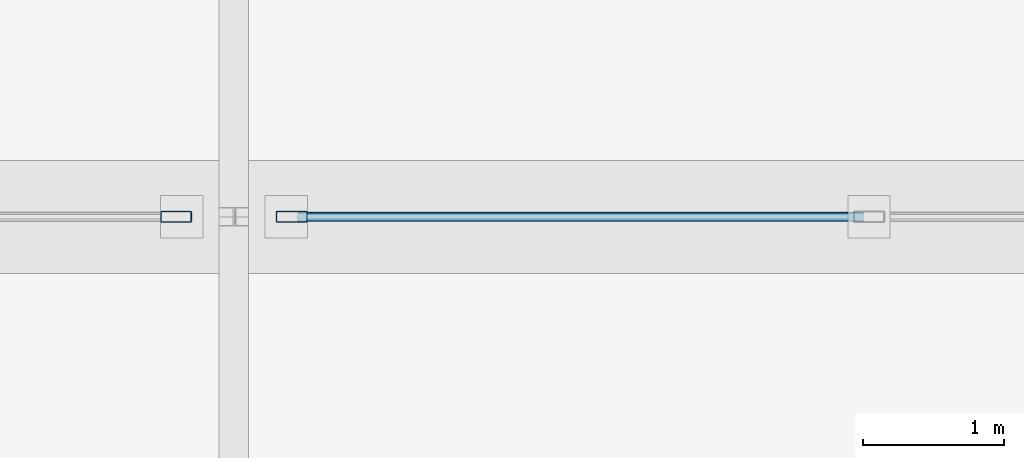
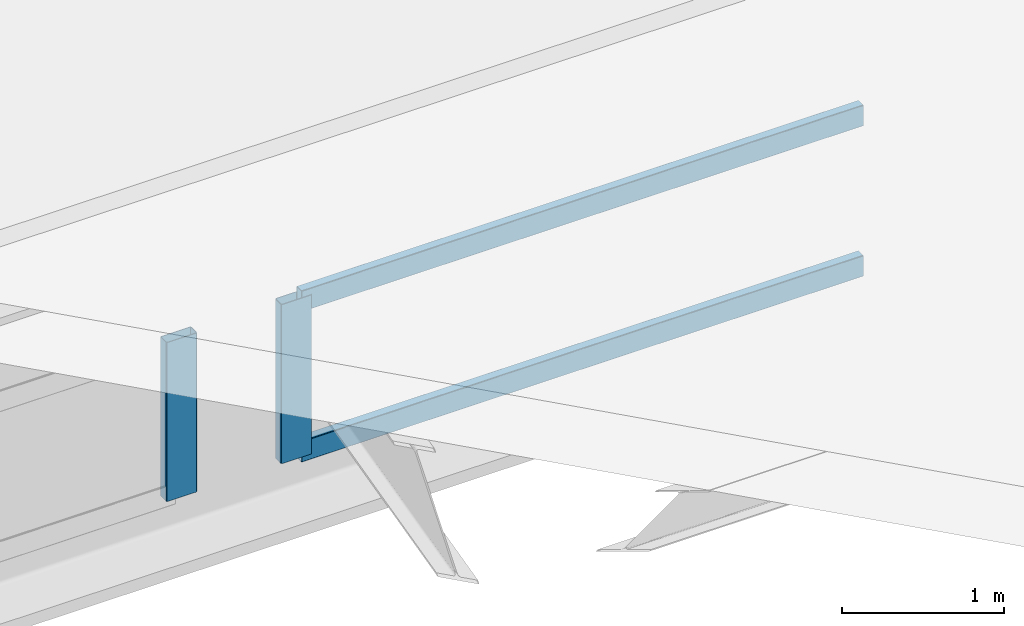
# One storey, part 10 of 36: 4 members, 2 elements without a shape of their own.
"""IFC4 building model written with IfcOpenShell, lengths in metres."""

from ifc_helpers import new_model, si_unit, direction, frame, origin, origin_2d, place, context, subcontext, project, spatial, hollow_rectangle, extrude, material, layer, layer_set, material_profile, profile_set, type_object, element, aggregate, save


model = new_model("IFC4")

# Units and contexts
model_context = context("Model", 3, precision=1e-05, world=origin(), true_north=direction((0.0, 1.0)))
body_context = subcontext(model_context, "Body", "Model", "MODEL_VIEW")
ifc_project = project(units=[si_unit("LENGTHUNIT", "METRE"), si_unit("AREAUNIT", "SQUARE_METRE"), si_unit("VOLUMEUNIT", "CUBIC_METRE"), si_unit("PLANEANGLEUNIT", "RADIAN"), si_unit("MASSUNIT", "GRAM", prefix="KILO")], contexts=[model_context])

# Site, building, storey
site_placement = place(None, origin())
site = spatial("IfcSite", under=ifc_project, at=site_placement, CompositionType="ELEMENT")
building_placement = place(site_placement, origin())
building = spatial("IfcBuilding", under=site, at=building_placement, Name="Qorvath Tower", CompositionType="ELEMENT")
storey_placement = place(building_placement, frame((0.0, 0.0, 27.0)))
storey = spatial("IfcBuildingStorey", under=building, at=storey_placement, Name="L05", CompositionType="ELEMENT", Elevation=27.0)

# Curtain wall, member
ifc_material_1 = material(Name="Anodised aluminium and triple low-E glass", Category="aluminium")
ifc_layer = layer(ifc_material_1, 0.179931640625)
ifc_layer_set = layer_set([ifc_layer], Name="CW-SYS-7")
curtain_wall_type = type_object("IfcCurtainWallType", Name="CW-SYS-7", PredefinedType="NOTDEFINED", material=ifc_layer_set)
curtain_wall_1_placement = place(storey_placement, origin())
curtain_wall_1 = element("IfcCurtainWall", 1, at=curtain_wall_1_placement, inside=storey, type_object=curtain_wall_type, Name="Curtain Wall CW-7 CW-LIB-SKY-3-2", PredefinedType="NOTDEFINED")
ifc_material_2 = material(Name="Anodised aluminium 6063-T6", Category="aluminium")
ifc_material_profile_1 = material_profile(ifc_material_2, hollow_rectangle(XDim=0.080078125, YDim=0.219970703125, WallThickness=0.00439453125, InnerFilletRadius=0.00439453125, OuterFilletRadius=0.009033203125, at=origin_2d()), Name="CWM LIB 220x80")
ifc_profile_set_1 = profile_set([ifc_material_profile_1], Name="Anodised aluminium 6063-T6")
member_type_1 = type_object("IfcMemberType", Name="CWM-LIB", PredefinedType="MULLION", material=ifc_profile_set_1)
member_1_placement = place(storey_placement, frame((49.989990234375, 9.60009765625, 0.0), z_axis=(0.0, 0.0, 1.0), x_axis=(0.0, 1.0, 0.0)))
member_1 = element("IfcMember", 2, at=member_1_placement, type_object=member_type_1, Name="CW-7 mullion 3", PredefinedType="MULLION", context=body_context, shape_type="SweptSolid", body=[
    extrude(hollow_rectangle(XDim=0.080078125, YDim=0.219970703125, WallThickness=0.00439453125, InnerFilletRadius=0.00439453125, OuterFilletRadius=0.009033203125, at=origin_2d()), origin(), (0.0, 0.0, 1.0), 1.199951171875),
])
aggregate(curtain_wall_1, [member_1])

# Curtain wall, members
curtain_wall_2_placement = place(storey_placement, origin())
curtain_wall_2 = element("IfcCurtainWall", 3, at=curtain_wall_2_placement, inside=storey, type_object=curtain_wall_type, Name="Curtain Wall CW-7 CW-LIB-SKY-3-3", PredefinedType="NOTDEFINED")
member_2_placement = place(storey_placement, frame((50.81005859375, 9.60009765625, 0.0), z_axis=(0.0, 0.0, 1.0), x_axis=(0.0, 1.0, 0.0)))
member_2 = element("IfcMember", 4, at=member_2_placement, type_object=member_type_1, Name="CW-7 mullion 1", PredefinedType="MULLION", context=body_context, shape_type="SweptSolid", body=[
    extrude(hollow_rectangle(XDim=0.080078125, YDim=0.219970703125, WallThickness=0.00439453125, InnerFilletRadius=0.00439453125, OuterFilletRadius=0.009033203125, at=origin_2d()), origin(), (0.0, 0.0, 1.0), 1.199951171875),
])
ifc_material_3 = material(Name="Anodised aluminium 6063-T6", Category="aluminium")
ifc_material_profile_2 = material_profile(ifc_material_3, hollow_rectangle(XDim=0.06494140625, YDim=0.159912109375, WallThickness=0.00341796875, InnerFilletRadius=0.00341796875, OuterFilletRadius=0.007080078125, at=origin_2d()), Name="CWT 160x65")
ifc_profile_set_2 = profile_set([ifc_material_profile_2], Name="Anodised aluminium 6063-T6")
member_type_2 = type_object("IfcMemberType", Name="CWT-160", PredefinedType="USERDEFINED", material=ifc_profile_set_2)
member_3_placement = place(storey_placement, frame((50.85009765625, 9.60009765625, 0.032470703125), z_axis=(1.0, 0.0, 0.0), x_axis=(0.0, 1.0, 0.0)))
member_3 = element("IfcMember", 5, at=member_3_placement, type_object=member_type_2, Name="CW-7 transom 1.1", ObjectType="TRANSOM", PredefinedType="USERDEFINED", context=body_context, shape_type="SweptSolid", body=[
    extrude(hollow_rectangle(XDim=0.06494140625, YDim=0.159912109375, WallThickness=0.00341796875, InnerFilletRadius=0.00341796875, OuterFilletRadius=0.007080078125, at=origin_2d()), origin(), (0.0, 0.0, 1.0), 4.010009765625),
])
member_4_placement = place(storey_placement, frame((50.85009765625, 9.60009765625, 1.16748046875), z_axis=(1.0, 0.0, 0.0), x_axis=(0.0, 1.0, 0.0)))
member_4 = element("IfcMember", 6, at=member_4_placement, type_object=member_type_2, Name="CW-7 transom 1.2", ObjectType="TRANSOM", PredefinedType="USERDEFINED", context=body_context, shape_type="SweptSolid", body=[
    extrude(hollow_rectangle(XDim=0.06494140625, YDim=0.159912109375, WallThickness=0.00341796875, InnerFilletRadius=0.00341796875, OuterFilletRadius=0.007080078125, at=origin_2d()), origin(), (0.0, 0.0, 1.0), 4.010009765625),
])
aggregate(curtain_wall_2, [member_2, member_3, member_4])

save(model, "model.ifc")
